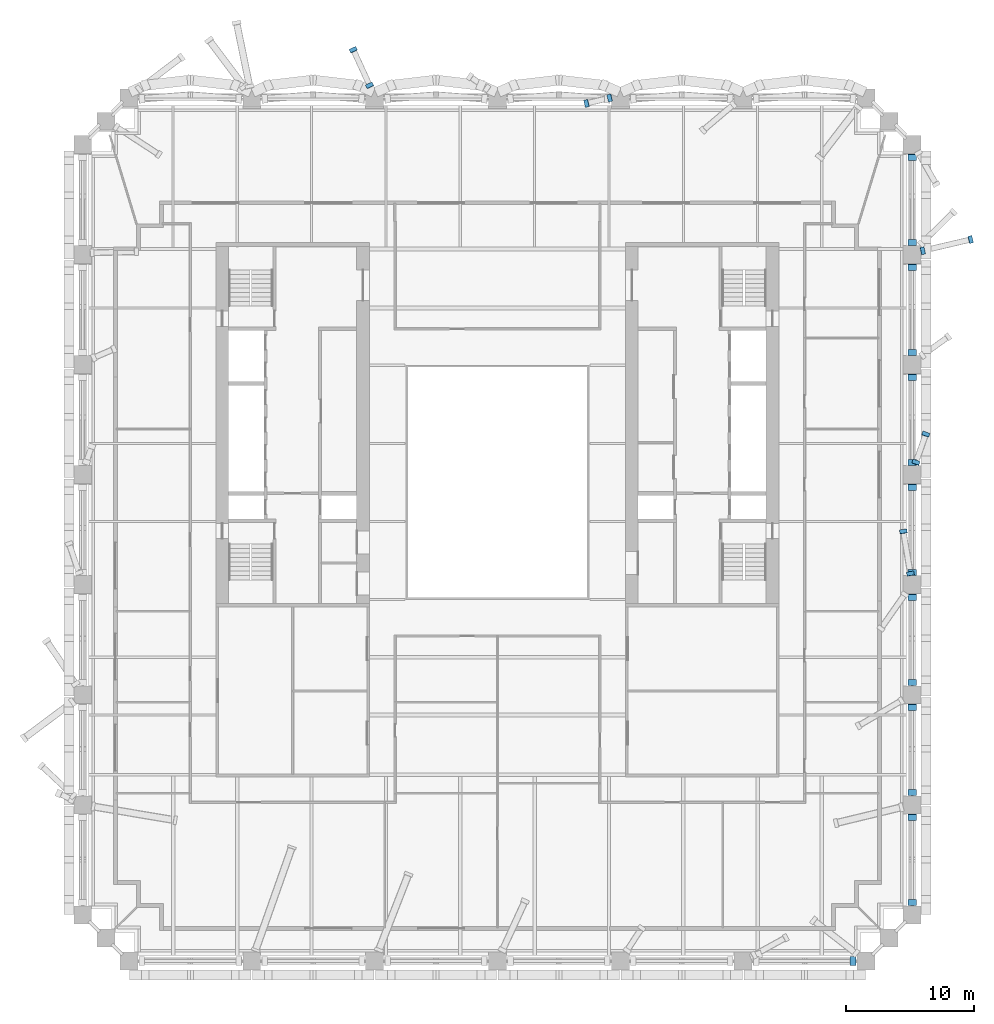
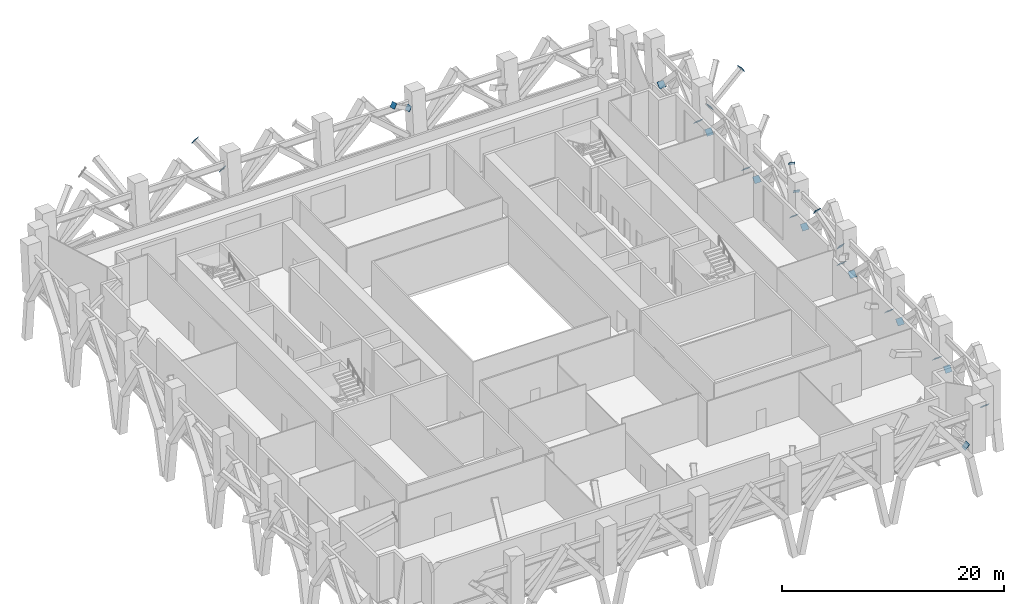
# One storey, part 16 of 19: 25 discrete accessories.
"""IFC4 building model written with IfcOpenShell, lengths in metres."""

from ifc_helpers import new_model, si_unit, direction, frame, origin, origin_2d, place, context, subcontext, project, spatial, rectangle, extrude, material, material_profile, profile_set, type_object, element, save


model = new_model("IFC4")

# Units and contexts
model_context = context("Model", 3, precision=1e-05, world=origin(), true_north=direction((0.0, 1.0)))
body_context = subcontext(model_context, "Body", "Model", "MODEL_VIEW")
ifc_project = project(units=[si_unit("LENGTHUNIT", "METRE"), si_unit("AREAUNIT", "SQUARE_METRE"), si_unit("VOLUMEUNIT", "CUBIC_METRE"), si_unit("PLANEANGLEUNIT", "RADIAN"), si_unit("MASSUNIT", "GRAM", prefix="KILO")], contexts=[model_context])

# Site, building, storey
site_placement = place(None, origin())
site = spatial("IfcSite", under=ifc_project, at=site_placement, CompositionType="ELEMENT")
building_placement = place(site_placement, origin())
building = spatial("IfcBuilding", under=site, at=building_placement, Name="Ogive Exchange Tower", CompositionType="ELEMENT")
storey_placement = place(building_placement, frame((0.0, 0.0, 94.199951171875)))
storey = spatial("IfcBuildingStorey", under=building, at=storey_placement, Name="L20", CompositionType="ELEMENT", Elevation=94.199951171875)

# Discrete accessories
ifc_material = material(Name="Steel ASTM A572 Gr50", Category="steel")
ifc_material_profile_1 = material_profile(ifc_material, rectangle(XDim=0.576904296875, YDim=0.576904296875, at=origin_2d()), Name="PL 577 x 577 x 25")
ifc_profile_set_1 = profile_set([ifc_material_profile_1], Name="Steel ASTM A572 Gr50")
discrete_accessory_type_1 = type_object("IfcDiscreteAccessoryType", Name="Gusset plate 577 x 577 x 25", PredefinedType="USERDEFINED", material=ifc_profile_set_1)
for number, where, z_axis, x_axis, name in (
    (1, (32.26806640625, -0.140625, 2.668701171875), (-0.146127774135, 0.837799238376, 0.526059986887), (-0.985127563031, -0.171824574947, 0.0), "Block-change strut 12 end plate A"),
    (2, (31.719482421875, 3.159423828125, 4.74267578125), (-0.136573991932, 0.838954521866, 0.526785397451), (-0.987007269931, -0.160675602082, 0.0), "Block-change strut 12 end plate B"),
):
    element("IfcDiscreteAccessory", number, at=place(storey_placement, frame(where, z_axis=z_axis, x_axis=x_axis)), inside=storey, type_object=discrete_accessory_type_1, Name=name, ObjectType="GUSSET PLATE", PredefinedType="USERDEFINED", context=body_context, shape_type="SweptSolid", body=[
        extrude(rectangle(XDim=0.576904296875, YDim=0.576904296875, at=origin_2d()), origin(), (0.0, 0.0, 1.0), 0.025146484375),
    ])
for number, where, z_axis, x_axis, name in (
    (3, (32.694580078125, 8.561279296875, 3.298095703125), (0.274246333466, 0.80314997658, 0.528903643114), (-0.946349856068, 0.323143853292, 0.0), "Block-change strut 13 end plate A"),
    (4, (33.463623046875, 10.760498046875, 4.74267578125), (0.283267426777, 0.800963068818, 0.527463484344), (-0.942777884126, 0.333421446825, 0.0), "Block-change strut 13 end plate B"),
):
    element("IfcDiscreteAccessory", number, at=place(storey_placement, frame(where, z_axis=z_axis, x_axis=x_axis)), inside=storey, type_object=discrete_accessory_type_1, Name=name, ObjectType="GUSSET PLATE", PredefinedType="USERDEFINED", context=body_context, shape_type="SweptSolid", body=[
        extrude(rectangle(XDim=0.576904296875, YDim=0.576904296875, at=origin_2d()), origin(), (0.0, 0.0, 1.0), 0.02490234375),
    ])
for number, where, z_axis, x_axis, name in (
    (5, (33.218994140625, 25.09814453125, 2.36083984375), (0.827900260126, 0.194800061206, 0.525960165257), (-0.229039333726, 0.973417168334, 0.0), "Block-change strut 15 end plate A"),
    (6, (36.959228515625, 25.9755859375, 4.74267578125), (0.826294852195, 0.204143434072, 0.524940259041), (-0.239847329474, 0.970810619299, 0.0), "Block-change strut 15 end plate B"),
    (7, (8.780517578125, 37.039306640625, 3.557373046875), (-0.816188178053, -0.194330518584, 0.544125452036), (0.231620527306, -0.972806214685, 0.0), "Block-change strut 19 end plate A"),
    (8, (6.971435546875, 36.61279296875, 4.743896484375), (-0.816188178053, -0.194330518584, 0.544125452036), (0.231620527306, -0.972806214685, 0.0), "Block-change strut 19 end plate B"),
):
    element("IfcDiscreteAccessory", number, at=place(storey_placement, frame(where, z_axis=z_axis, x_axis=x_axis)), inside=storey, type_object=discrete_accessory_type_1, Name=name, ObjectType="GUSSET PLATE", PredefinedType="USERDEFINED", context=body_context, shape_type="SweptSolid", body=[
        extrude(rectangle(XDim=0.576904296875, YDim=0.576904296875, at=origin_2d()), origin(), (0.0, 0.0, 1.0), 0.025146484375),
    ])
for number, where, z_axis, x_axis, name in (
    (9, (-9.986328125, 38.01123046875, 2.84423828125), (-0.352112972487, 0.772692356291, 0.528169458731), (-0.909971590259, -0.414670598092, 0.0), "Block-change strut 21 end plate A"),
    (10, (-11.260986328125, 40.79541015625, 4.74267578125), (-0.352112972487, 0.772692356291, 0.528169458731), (-0.909971590259, -0.414670598092, 0.0), "Block-change strut 21 end plate B"),
):
    element("IfcDiscreteAccessory", number, at=place(storey_placement, frame(where, z_axis=z_axis, x_axis=x_axis)), inside=storey, type_object=discrete_accessory_type_1, Name=name, ObjectType="GUSSET PLATE", PredefinedType="USERDEFINED", context=body_context, shape_type="SweptSolid", body=[
        extrude(rectangle(XDim=0.576904296875, YDim=0.576904296875, at=origin_2d()), origin(), (0.0, 0.0, 1.0), 0.02490234375),
    ])
ifc_material_profile_2 = material_profile(ifc_material, rectangle(XDim=0.678955078125, YDim=0.678955078125, at=origin_2d()), Name="PL 679 x 679 x 25")
ifc_profile_set_2 = profile_set([ifc_material_profile_2], Name="Steel ASTM A572 Gr50")
discrete_accessory_type_2 = type_object("IfcDiscreteAccessoryType", Name="Gusset plate 679 x 679 x 25", PredefinedType="USERDEFINED", material=ifc_profile_set_2)
discrete_accessory_1_placement = place(storey_placement, frame((27.802001953125, -30.39990234375, 0.66796875), z_axis=(-0.763386285369, 0.0, 0.645942241466), x_axis=(0.0, -1.0, 0.0)))
element("IfcDiscreteAccessory", 11, at=discrete_accessory_1_placement, inside=storey, type_object=discrete_accessory_type_2, Name="Belt truss diagonal 6b end plate A", ObjectType="GUSSET PLATE", PredefinedType="USERDEFINED", context=body_context, shape_type="SweptSolid", body=[
    extrude(rectangle(XDim=0.678955078125, YDim=0.678955078125, at=origin_2d()), origin(), (0.0, 0.0, 1.0), 0.02490234375),
])
for number, where, z_axis, x_axis, name in (
    (12, (32.39990234375, -25.839111328125, 0.66796875), (0.0, 0.721582152295, 0.692328821796), (-1.0, 0.0, 0.0), "Belt truss diagonal 9a end plate A"),
    (13, (32.39990234375, -19.1650390625, 0.66796875), (0.0, -0.716725930909, 0.697354959803), (1.0, 0.0, 0.0), "Belt truss diagonal 9b end plate A"),
):
    element("IfcDiscreteAccessory", number, at=place(storey_placement, frame(where, z_axis=z_axis, x_axis=x_axis)), inside=storey, type_object=discrete_accessory_type_2, Name=name, ObjectType="GUSSET PLATE", PredefinedType="USERDEFINED", context=body_context, shape_type="SweptSolid", body=[
        extrude(rectangle(XDim=0.678955078125, YDim=0.678955078125, at=origin_2d()), origin(), (0.0, 0.0, 1.0), 0.025146484375),
    ])
discrete_accessory_2_placement = place(storey_placement, frame((32.39990234375, -17.243408203125, 0.66796875), z_axis=(0.0, 0.726468416955, 0.687199853876), x_axis=(-1.0, 0.0, 0.0)))
element("IfcDiscreteAccessory", 14, at=discrete_accessory_2_placement, inside=storey, type_object=discrete_accessory_type_2, Name="Belt truss diagonal 10a end plate A", ObjectType="GUSSET PLATE", PredefinedType="USERDEFINED", context=body_context, shape_type="SweptSolid", body=[
    extrude(rectangle(XDim=0.678955078125, YDim=0.678955078125, at=origin_2d()), origin(), (0.0, 0.0, 1.0), 0.02490234375),
])
for number, where, z_axis, x_axis, name in (
    (15, (32.39990234375, -10.5693359375, 0.66796875), (0.0, -0.716725930909, 0.697354959803), (1.0, 0.0, 0.0), "Belt truss diagonal 10b end plate A"),
    (16, (32.39990234375, -8.647705078125, 0.66796875), (0.0, 0.731055268243, 0.68231825036), (-1.0, 0.0, 0.0), "Belt truss diagonal 11a end plate A"),
    (17, (32.39990234375, -1.9736328125, 0.66796875), (0.0, -0.711966448453, 0.702213483406), (1.0, 0.0, 0.0), "Belt truss diagonal 11b end plate A"),
    (18, (32.39990234375, -0.05224609375, 0.66796875), (0.0, 0.735545105159, 0.677475754752), (-1.0, 0.0, 0.0), "Belt truss diagonal 12a end plate A"),
    (19, (32.39990234375, 6.6220703125, 0.66796875), (0.0, -0.707106781187, 0.707106781187), (1.0, 0.0, 0.0), "Belt truss diagonal 12b end plate A"),
    (20, (32.39990234375, 8.54345703125, 0.66796875), (0.0, 0.740380722285, 0.672187761022), (-1.0, 0.0, 0.0), "Belt truss diagonal 13a end plate A"),
    (21, (32.39990234375, 15.2177734375, 0.66796875), (0.0, -0.702213483406, 0.711966448453), (1.0, 0.0, 0.0), "Belt truss diagonal 13b end plate A"),
    (22, (32.39990234375, 17.13916015625, 0.66796875), (0.0, 0.740380722285, 0.672187761022), (-1.0, 0.0, 0.0), "Belt truss diagonal 14a end plate A"),
    (23, (32.39990234375, 23.813232421875, 0.66796875), (0.0, -0.692328821796, 0.721582152295), (1.0, 0.0, 0.0), "Belt truss diagonal 14b end plate A"),
    (24, (32.39990234375, 25.73486328125, 0.66796875), (0.0, 0.749553706565, 0.661943533071), (-1.0, 0.0, 0.0), "Belt truss diagonal 15a end plate A"),
):
    element("IfcDiscreteAccessory", number, at=place(storey_placement, frame(where, z_axis=z_axis, x_axis=x_axis)), inside=storey, type_object=discrete_accessory_type_2, Name=name, ObjectType="GUSSET PLATE", PredefinedType="USERDEFINED", context=body_context, shape_type="SweptSolid", body=[
        extrude(rectangle(XDim=0.678955078125, YDim=0.678955078125, at=origin_2d()), origin(), (0.0, 0.0, 1.0), 0.025146484375),
    ])
discrete_accessory_3_placement = place(storey_placement, frame((32.39990234375, 32.408935546875, 0.66796875), z_axis=(0.0, -0.687199853876, 0.726468416955), x_axis=(1.0, 0.0, 0.0)))
element("IfcDiscreteAccessory", 25, at=discrete_accessory_3_placement, inside=storey, type_object=discrete_accessory_type_2, Name="Belt truss diagonal 15b end plate A", ObjectType="GUSSET PLATE", PredefinedType="USERDEFINED", context=body_context, shape_type="SweptSolid", body=[
    extrude(rectangle(XDim=0.678955078125, YDim=0.678955078125, at=origin_2d()), origin(), (0.0, 0.0, 1.0), 0.02490234375),
])

save(model, "model.ifc")
